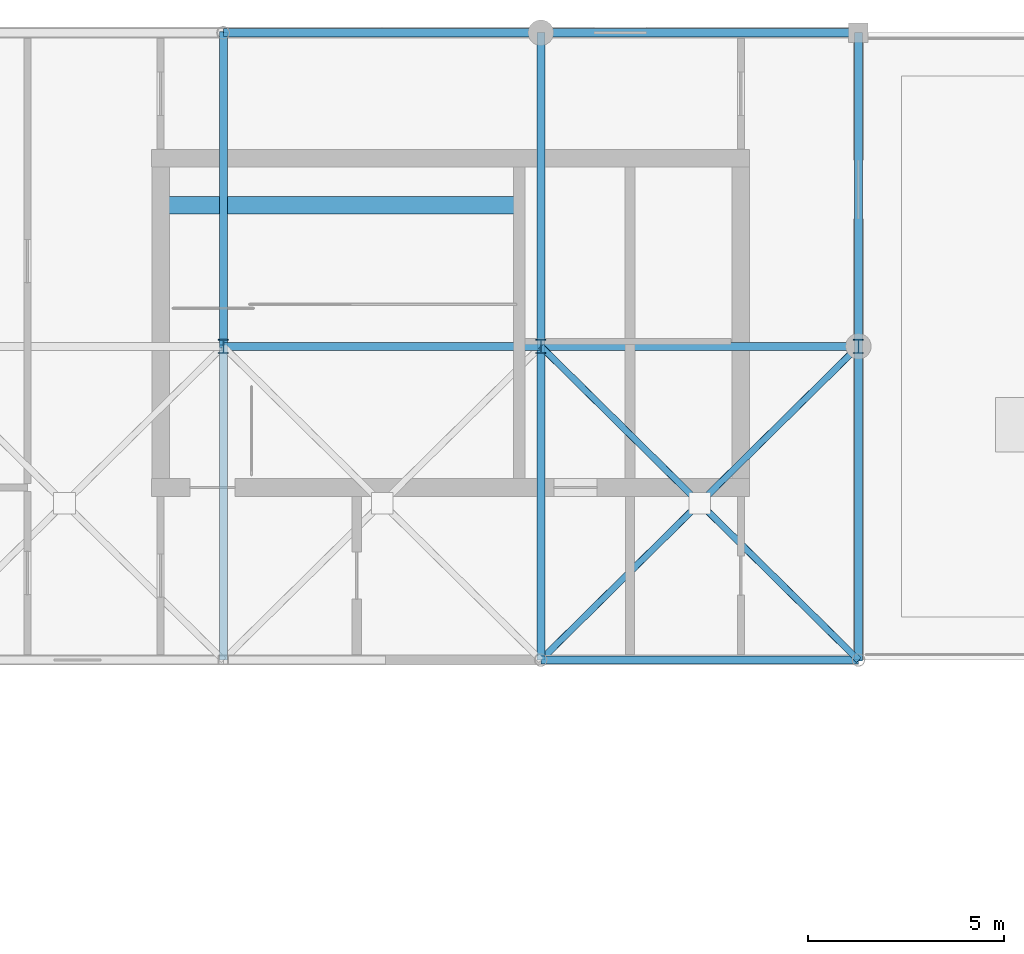
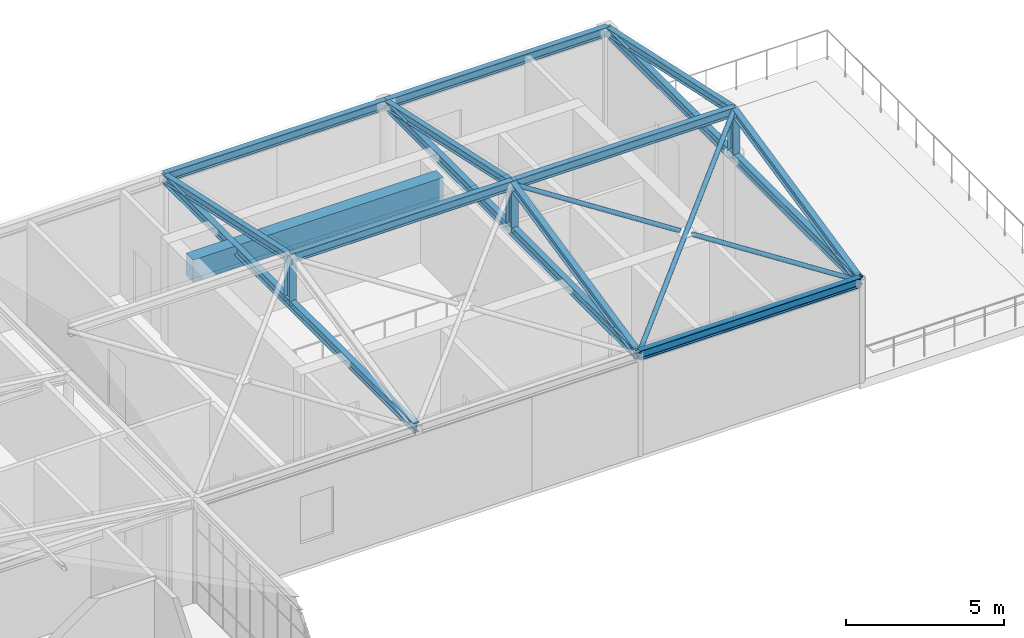
# One storey, part 8 of 21: 11 members, 9 beams.
"""IFC4 building model written with IfcOpenShell, lengths in metres."""

import ifcopenshell
import ifcopenshell.guid

model = None  # the IFC model being written
_history = None  # IfcOwnerHistory: only IFC2X3 demands one
_inside = {}  # id of a spatial element -> (the spatial element, [elements in it])
_under = {}  # id of a project, library or spatial element -> (it, [spatial elements below it])
_declared = {}  # id of a project -> (the project, [libraries it declares])
_typed = {}  # id of a type object -> (the type object, [elements of that type])
_made_of = {}  # id of a material, layer set ... -> (it, [elements and type objects made of it])


def new_model(schema):
    """Start an empty IFC model of exactly this schema.

    Asked for "IFC4X3", IfcOpenShell would pick the latest addendum, in which some entities
    have other attributes; the version numbers below select the first issue.
    IFC2X3 requires an IfcOwnerHistory on every rooted entity: one is made here for all.
    """
    global model, _history
    if schema == "IFC4X3":
        model = ifcopenshell.file(schema_version=(4, 3, 0, 0))
    else:
        model = ifcopenshell.file(schema=schema)
    _inside.clear()
    _under.clear()
    _declared.clear()
    _typed.clear()
    _made_of.clear()
    _history = None
    if model.schema == "IFC2X3":
        org = make("IfcOrganization", Name="unknown")
        user = make(
            "IfcPersonAndOrganization",
            ThePerson=make("IfcPerson", FamilyName="unknown"),
            TheOrganization=org,
        )
        app = make(
            "IfcApplication",
            ApplicationDeveloper=org,
            Version="unknown",
            ApplicationFullName="unknown",
            ApplicationIdentifier="unknown",
        )
        _history = make(
            "IfcOwnerHistory",
            OwningUser=user,
            OwningApplication=app,
            ChangeAction="ADDED",
            CreationDate=0,
        )
    return model


def make(cls, **values):
    """One entity of the class cls with the attributes given. An attribute that is None is left unset."""
    return model.create_entity(
        cls, **{name: value for name, value in values.items() if value is not None}
    )


def rooted(cls, **values):
    """An entity with a GlobalId (a new one), such as an element, a storey or a relation."""
    return make(cls, GlobalId=ifcopenshell.guid.new(), OwnerHistory=_history, **values)


def si_unit(unit_type, name, prefix=None):
    """IfcSIUnit, for example si_unit("LENGTHUNIT", "METRE", prefix="MILLI")."""
    return make("IfcSIUnit", UnitType=unit_type, Prefix=prefix, Name=name)


def assignment(units):
    """IfcUnitAssignment: the units of a project."""
    return None if units is None else make("IfcUnitAssignment", Units=units)


def point(xyz):
    """IfcCartesianPoint."""
    return None if xyz is None else make("IfcCartesianPoint", Coordinates=xyz)


def direction(xyz):
    """IfcDirection."""
    return None if xyz is None else make("IfcDirection", DirectionRatios=xyz)


def frame(location, z_axis=None, x_axis=None):
    """IfcAxis2Placement3D, a coordinate frame: its origin and axes. An axis left out is left unset."""
    return make(
        "IfcAxis2Placement3D",
        Location=point(location),
        Axis=direction(z_axis),
        RefDirection=direction(x_axis),
    )


def frame_2d(location, x_axis=None):
    """IfcAxis2Placement2D, a coordinate frame in the plane: its origin and x axis."""
    return make(
        "IfcAxis2Placement2D", Location=point(location), RefDirection=direction(x_axis)
    )


def origin():
    """The frame at (0, 0, 0) with its axes left unset."""
    return frame((0.0, 0.0, 0.0))


def origin_2d():
    """The frame at (0, 0) in the plane with its x axis left unset."""
    return frame_2d((0.0, 0.0))


def place(relative_to, where):
    """IfcLocalPlacement: puts the frame where relative to a parent placement (None: the world)."""
    return make(
        "IfcLocalPlacement", PlacementRelTo=relative_to, RelativePlacement=where
    )


def context(
    kind, dimensions, precision=None, world=None, true_north=None, identifier=None
):
    """IfcGeometricRepresentationContext, for example the 3D "Model" context."""
    return make(
        "IfcGeometricRepresentationContext",
        ContextIdentifier=identifier,
        ContextType=kind,
        CoordinateSpaceDimension=dimensions,
        Precision=precision,
        WorldCoordinateSystem=world,
        TrueNorth=true_north,
    )


def subcontext(parent, identifier, kind, view, scale=None):
    """IfcGeometricRepresentationSubContext, for example "Body" below "Model"."""
    return make(
        "IfcGeometricRepresentationSubContext",
        ContextIdentifier=identifier,
        ContextType=kind,
        ParentContext=parent,
        TargetScale=scale,
        TargetView=view,
    )


def project(units=None, contexts=None):
    """IfcProject with its units and contexts."""
    return rooted(
        "IfcProject",
        Name="project",
        RepresentationContexts=contexts,
        UnitsInContext=assignment(units),
    )


def spatial(cls, under=None, at=None, **own):
    """A site, building, storey or space (cls), placed at a placement, below another one or the project."""
    s = rooted(cls, ObjectPlacement=at, **own)
    if under is not None:
        _under.setdefault(under.id(), (under, []))[1].append(s)
    return s


def profile(cls, at=None, kind="AREA", **sizes):
    """A parametric profile (cls). Its sizes go by their IFC names, for example OverallWidth=200.0."""
    return make(cls, ProfileType=kind, Position=at, **sizes)


def rectangle(**sizes):
    """IfcRectangleProfileDef."""
    return profile("IfcRectangleProfileDef", **sizes)


def hollow_circle(**sizes):
    """IfcCircleHollowProfileDef."""
    return profile("IfcCircleHollowProfileDef", **sizes)


def i_section(**sizes):
    """IfcIShapeProfileDef."""
    return profile("IfcIShapeProfileDef", **sizes)


def extrude(swept, where, along, depth):
    """IfcExtrudedAreaSolid: the profile swept, set in the frame where, extruded along a direction by depth."""
    return make(
        "IfcExtrudedAreaSolid",
        SweptArea=swept,
        Position=where,
        ExtrudedDirection=direction(along),
        Depth=depth,
    )


def shape(context_of_items, identifier, shape_type, items):
    """IfcShapeRepresentation: the items that make up one representation, for example the "Body"."""
    return make(
        "IfcShapeRepresentation",
        ContextOfItems=context_of_items,
        RepresentationIdentifier=identifier,
        RepresentationType=shape_type,
        Items=items,
    )


def material(Name=None, Category=None):
    """IfcMaterial."""
    return make("IfcMaterial", Name=Name, Category=Category)


def material_profile(
    of_material, cross_section, Name=None, Category=None, Priority=None
):
    """IfcMaterialProfile: a cross section and its material."""
    return make(
        "IfcMaterialProfile",
        Name=Name,
        Material=of_material,
        Profile=cross_section,
        Priority=Priority,
        Category=Category,
    )


def profile_set(profiles, Name=None, composite=None):
    """IfcMaterialProfileSet."""
    return make(
        "IfcMaterialProfileSet",
        Name=Name,
        MaterialProfiles=profiles,
        CompositeProfile=composite,
    )


def made_of(thing, what):
    """Note that an element or type object is made of a material, layer set ...; save() writes the relation."""
    if what is not None:
        _made_of.setdefault(what.id(), (what, []))[1].append(thing)
    return thing


def type_object(cls, material=None, **own):
    """A type object (cls), such as IfcWallType, which elements share."""
    return made_of(rooted(cls, **own), material)


def element(
    cls,
    number,
    at=None,
    inside=None,
    cuts=None,
    type_object=None,
    material=None,
    context=None,
    identifier="Body",
    shape_type=None,
    held_by="IfcProductDefinitionShape",
    body=None,
    shapes=None,
    **own,
):
    """One element of the class cls, such as IfcWall. Its Tag is "e" and its number.

    at: its placement. inside: the storey or other place that contains it. cuts: it is an
    opening in that element (IfcRelVoidsElement). A single representation is given by context,
    identifier, shape_type and body (its items); several are given by shapes. held_by: the class
    of the entity that holds the representations. save() writes the other relations.
    """
    e = rooted(cls, Tag="e%d" % number, ObjectPlacement=at, **own)
    if body is not None:
        shapes = [shape(context, identifier, shape_type, body)]
    if shapes is not None:
        e.Representation = make(held_by, Representations=shapes)
    if inside is not None:
        _inside.setdefault(inside.id(), (inside, []))[1].append(e)
    if cuts is not None:
        rooted(
            "IfcRelVoidsElement", RelatingBuildingElement=cuts, RelatedOpeningElement=e
        )
    if type_object is not None:
        _typed.setdefault(type_object.id(), (type_object, []))[1].append(e)
    return made_of(e, material)


def aggregate(whole, parts):
    """IfcRelAggregates: a whole, such as a stair, and the parts it consists of."""
    return rooted("IfcRelAggregates", RelatingObject=whole, RelatedObjects=parts)


def save(model, path):
    """Write the relations noted so far, then the file.

    IfcRelAggregates (storeys below a building ...), IfcRelContainedInSpatialStructure (elements
    in a storey), IfcRelDefinesByType, IfcRelAssociatesMaterial and IfcRelDeclares: one each for
    every whole, place, type object, material and project.
    """
    for whole, parts in _under.values():
        aggregate(whole, parts)
    for where, things in _inside.values():
        rooted(
            "IfcRelContainedInSpatialStructure",
            RelatedElements=things,
            RelatingStructure=where,
        )
    for kind, things in _typed.values():
        rooted("IfcRelDefinesByType", RelatedObjects=things, RelatingType=kind)
    for what, things in _made_of.values():
        rooted("IfcRelAssociatesMaterial", RelatedObjects=things, RelatingMaterial=what)
    for by, libraries in _declared.values():
        rooted("IfcRelDeclares", RelatingContext=by, RelatedDefinitions=libraries)
    model.write(path)


model = new_model("IFC4")

# Units and contexts
model_context = context("Model", 3, precision=1e-05, world=origin(), true_north=direction((0.0, 1.0)))
body_context = subcontext(model_context, "Body", "Model", "MODEL_VIEW")
ifc_project = project(units=[si_unit("LENGTHUNIT", "METRE"), si_unit("AREAUNIT", "SQUARE_METRE"), si_unit("VOLUMEUNIT", "CUBIC_METRE"), si_unit("PLANEANGLEUNIT", "RADIAN"), si_unit("MASSUNIT", "GRAM", prefix="KILO")], contexts=[model_context])

# Site, building, storey
site_placement = place(None, origin())
site = spatial("IfcSite", under=ifc_project, at=site_placement, CompositionType="ELEMENT")
building_placement = place(site_placement, origin())
building = spatial("IfcBuilding", under=site, at=building_placement, Name="Tarnveldt Square Police Headquarters", CompositionType="ELEMENT")
storey_placement = place(building_placement, frame((0.0, 0.0, 33.300048828125)))
storey = spatial("IfcBuildingStorey", under=building, at=storey_placement, Name="L07", CompositionType="ELEMENT", Elevation=33.300048828125)

# Beams
ifc_material_1 = material(Name="Concrete 50 MPa", Category="concrete")
ifc_material_profile_1 = material_profile(ifc_material_1, rectangle(XDim=0.449951171875, YDim=0.85009765625, at=origin_2d()), Name="RC-CB450x850")
ifc_profile_set_1 = profile_set([ifc_material_profile_1], Name="Concrete 50 MPa")
beam_type_1 = type_object("IfcBeamType", Name="BM-CB450x850", PredefinedType="BEAM", material=ifc_profile_set_1)
beam_placement = place(storey_placement, frame((47.0, 107.60009765625, 3.554931640625), z_axis=(1.0, 0.0, 0.0), x_axis=(0.0, 1.0, 0.0)))
element("IfcBeam", 1, at=beam_placement, inside=storey, type_object=beam_type_1, Name="Core K3 North-Central Forensic and Firefighting Core L07 Ductile Coupling Beam", PredefinedType="BEAM", context=body_context, shape_type="SweptSolid", body=[
    extrude(rectangle(XDim=0.449951171875, YDim=0.85009765625, at=origin_2d()), origin(), (0.0, 0.0, 1.0), 9.14990234375),
])
ifc_material_2 = material(Name="Steel 350W", Category="steel")
ifc_material_profile_2 = material_profile(ifc_material_2, i_section(OverallWidth=0.205078125, OverallDepth=0.35400390625, WebThickness=0.009521484375, FlangeThickness=0.016845703125, FilletRadius=0.01611328125, at=origin_2d()), Name="W360x79")
ifc_profile_set_2 = profile_set([ifc_material_profile_2], Name="Steel 350W")
beam_type_2 = type_object("IfcBeamType", Name="BM-W360x79", PredefinedType="JOIST", material=ifc_profile_set_2)
for number, where, z_axis, x_axis, name in (
    (2, (48.60009765625, 96.0, 3.83984375), (0.0, 1.0, 0.0), (-1.0, 0.0, 0.0), "L07 North Return Tie Girder 48"),
    (3, (56.699951171875, 96.0, 3.83984375), (0.0, 1.0, 0.0), (-1.0, 0.0, 0.0), "L07 North Return Tie Girder 56"),
    (4, (64.800048828125, 96.0, 3.83984375), (0.0, 1.0, 0.0), (-1.0, 0.0, 0.0), "L07 North Return Tie Girder 64"),
):
    element("IfcBeam", number, at=place(storey_placement, frame(where, z_axis=z_axis, x_axis=x_axis)), inside=storey, type_object=beam_type_2, Name=name, PredefinedType="JOIST", context=body_context, shape_type="SweptSolid", body=[
        extrude(i_section(OverallWidth=0.205078125, OverallDepth=0.35400390625, WebThickness=0.009521484375, FlangeThickness=0.016845703125, FilletRadius=0.01611328125, at=origin_2d()), origin(), (0.0, 0.0, 1.0), 16.0),
    ])
for number, where, z_axis, x_axis, name in (
    (5, (48.60009765625, 112.0, 3.83984375), (1.0, 0.0, 0.0), (0.0, 1.0, 0.0), "L07 North Return Eave Girder N-2"),
    (6, (48.60009765625, 104.0, 5.579833984375), (1.0, 0.0, 0.0), (0.0, 1.0, 0.0), "L07 North Return Ridge Beam 2"),
):
    element("IfcBeam", number, at=place(storey_placement, frame(where, z_axis=z_axis, x_axis=x_axis)), inside=storey, type_object=beam_type_2, Name=name, PredefinedType="JOIST", context=body_context, shape_type="SweptSolid", body=[
        extrude(i_section(OverallWidth=0.205078125, OverallDepth=0.35400390625, WebThickness=0.009521484375, FlangeThickness=0.016845703125, FilletRadius=0.01611328125, at=origin_2d()), origin(), (0.0, 0.0, 1.0), 8.099853515625),
    ])
for number, where, z_axis, x_axis, name in (
    (7, (56.699951171875, 96.0, 3.83984375), (1.0, 0.0, 0.0), (0.0, 1.0, 0.0), "L07 North Return Eave Girder S-3"),
    (8, (56.699951171875, 112.0, 3.83984375), (1.0, 0.0, 0.0), (0.0, 1.0, 0.0), "L07 North Return Eave Girder N-3"),
    (9, (56.699951171875, 104.0, 5.579833984375), (1.0, 0.0, 0.0), (0.0, 1.0, 0.0), "L07 North Return Ridge Beam 3"),
):
    element("IfcBeam", number, at=place(storey_placement, frame(where, z_axis=z_axis, x_axis=x_axis)), inside=storey, type_object=beam_type_2, Name=name, PredefinedType="JOIST", context=body_context, shape_type="SweptSolid", body=[
        extrude(i_section(OverallWidth=0.205078125, OverallDepth=0.35400390625, WebThickness=0.009521484375, FlangeThickness=0.016845703125, FilletRadius=0.01611328125, at=origin_2d()), origin(), (0.0, 0.0, 1.0), 8.10009765625),
    ])

# Members
ifc_material_profile_3 = material_profile(ifc_material_2, i_section(OverallWidth=0.257080078125, OverallDepth=0.363037109375, WebThickness=0.012939453125, FlangeThickness=0.021728515625, FilletRadius=0.01611328125, at=origin_2d()), Name="W360x122")
ifc_profile_set_3 = profile_set([ifc_material_profile_3], Name="Steel 350W")
member_type_1 = type_object("IfcMemberType", Name="MEM-CT-POST", PredefinedType="STRUT", material=ifc_profile_set_3)
for number, where, z_axis, x_axis, name in (
    (10, (48.60009765625, 104.0, 3.83984375), (0.0, 0.0, 1.0), (1.0, 0.0, 0.0), "L07 North Return King Post 48"),
    (11, (56.699951171875, 104.0, 3.83984375), (0.0, 0.0, 1.0), (1.0, 0.0, 0.0), "L07 North Return King Post 56"),
    (12, (64.800048828125, 104.0, 3.83984375), (0.0, 0.0, 1.0), (1.0, 0.0, 0.0), "L07 North Return King Post 64"),
):
    element("IfcMember", number, at=place(storey_placement, frame(where, z_axis=z_axis, x_axis=x_axis)), inside=storey, type_object=member_type_1, Name=name, PredefinedType="STRUT", context=body_context, shape_type="SweptSolid", body=[
        extrude(i_section(OverallWidth=0.257080078125, OverallDepth=0.363037109375, WebThickness=0.012939453125, FlangeThickness=0.021728515625, FilletRadius=0.01611328125, at=origin_2d()), origin(), (0.0, 0.0, 1.0), 1.739990234375),
    ])
ifc_material_profile_4 = material_profile(ifc_material_2, i_section(OverallWidth=0.202880859375, OverallDepth=0.302978515625, WebThickness=0.007568359375, FlangeThickness=0.01318359375, FilletRadius=0.014892578125, at=origin_2d()), Name="W310x60")
ifc_profile_set_4 = profile_set([ifc_material_profile_4], Name="Steel 350W")
member_type_2 = type_object("IfcMemberType", Name="MEM-L07-RAF", PredefinedType="RAFTER", material=ifc_profile_set_4)
for number, where, z_axis, x_axis, name in (
    (13, (48.60009765625, 104.0, 5.579833984375), (0.0, 0.977154558672, -0.212529923696), (-1.0, 0.0, 0.0), "L07 North Return Rafter N-48"),
    (14, (56.699951171875, 96.0, 3.83984375), (0.0, 0.977154558672, 0.212529923696), (-1.0, 0.0, 0.0), "L07 North Return Rafter S-56"),
    (15, (56.699951171875, 104.0, 5.579833984375), (0.0, 0.977154558672, -0.212529923696), (-1.0, 0.0, 0.0), "L07 North Return Rafter N-56"),
    (16, (64.800048828125, 96.0, 3.83984375), (0.0, 0.977154558672, 0.212529923696), (-1.0, 0.0, 0.0), "L07 North Return Rafter S-64"),
    (17, (64.800048828125, 104.0, 5.579833984375), (0.0, 0.977154558672, -0.212529923696), (-1.0, 0.0, 0.0), "L07 North Return Rafter N-64"),
):
    element("IfcMember", number, at=place(storey_placement, frame(where, z_axis=z_axis, x_axis=x_axis)), inside=storey, type_object=member_type_2, Name=name, PredefinedType="RAFTER", context=body_context, shape_type="SweptSolid", body=[
        extrude(i_section(OverallWidth=0.202880859375, OverallDepth=0.302978515625, WebThickness=0.007568359375, FlangeThickness=0.01318359375, FilletRadius=0.014892578125, at=origin_2d()), origin(), (0.0, 0.0, 1.0), 8.18701171875),
    ])
ifc_material_profile_5 = material_profile(ifc_material_2, hollow_circle(Radius=0.084228515625, WallThickness=0.009521484375, at=origin_2d()), Name="HSS168x9.5")
ifc_profile_set_5 = profile_set([ifc_material_profile_5], Name="Steel 350W")
member_type_3 = type_object("IfcMemberType", Name="MEM-WIND-BR1", PredefinedType="BRACE", material=ifc_profile_set_5)
member_placement = place(storey_placement, frame((56.699951171875, 96.0, 3.83984375), z_axis=(0.703322308612, 0.69463094245, 0.151081382045), x_axis=(-0.702696970457, 0.711489260432, 0.0)))
element("IfcMember", 18, at=member_placement, inside=storey, type_object=member_type_3, Name="Roof Wind Brace 3", PredefinedType="BRACE", context=body_context, shape_type="SweptSolid", body=[
    extrude(hollow_circle(Radius=0.084228515625, WallThickness=0.009521484375, at=origin_2d()), origin(), (0.0, 0.0, 1.0), 11.516845703125),
])
for number, where, z_axis, x_axis, name in (
    (19, (64.800048828125, 96.0, 3.83984375), (-0.70330518, 0.694639689916, 0.151120895242), (-0.702710113038, -0.711476280022, 0.0), "Roof Wind Counter-Brace 3 South"),
    (20, (60.623291015625, 100.125, 4.737060546875), (-0.703309830907, 0.694644283519, 0.151078129203), (-0.702710113038, -0.711476280022, 0.0), "Roof Wind Counter-Brace 3 North"),
):
    element("IfcMember", number, at=place(storey_placement, frame(where, z_axis=z_axis, x_axis=x_axis)), inside=storey, type_object=member_type_3, Name=name, PredefinedType="BRACE", context=body_context, shape_type="SweptSolid", body=[
        extrude(hollow_circle(Radius=0.084228515625, WallThickness=0.009521484375, at=origin_2d()), origin(), (0.0, 0.0, 1.0), 5.578369140625),
    ])

save(model, "model.ifc")
